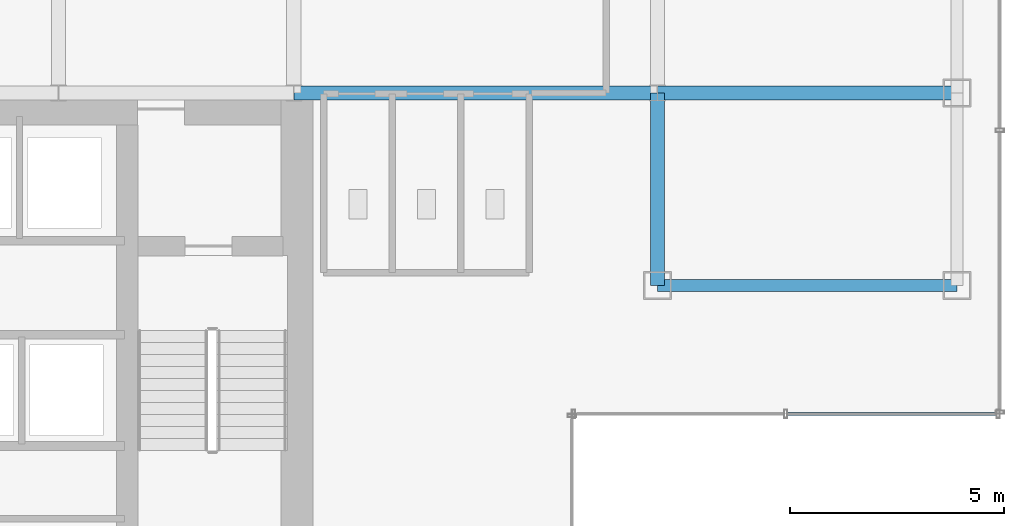
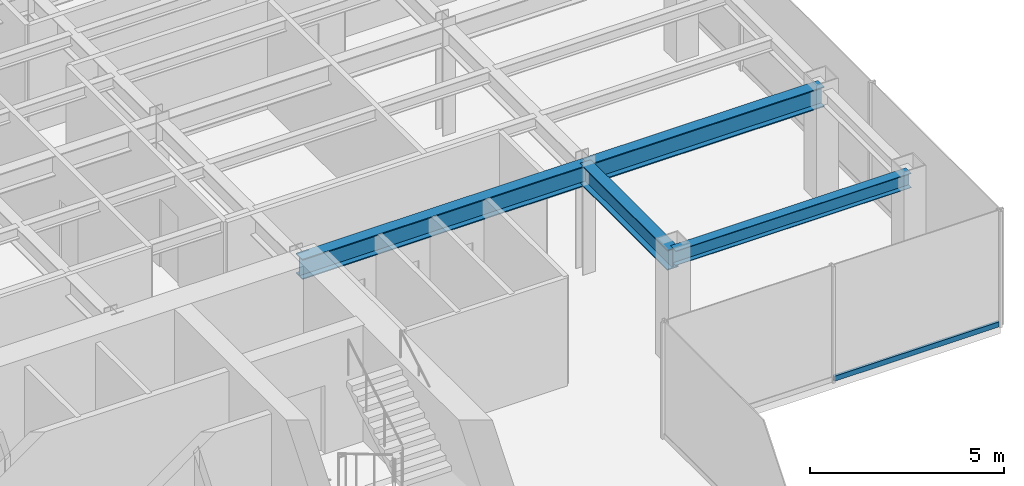
# One storey, part 10 of 25: 4 beams, 1 member, 1 element without a shape of its own.
"""IFC4 building model written with IfcOpenShell, lengths in metres."""

from ifc_helpers import new_model, si_unit, derived_unit, direction, frame, origin, origin_2d, place, context, subcontext, project, spatial, hollow_rectangle, i_section, extrude, source, transform, mapped, material, material_profile, profile_set, type_object, element, aggregate, save


model = new_model("IFC4")

# Units and contexts
model_context = context("Model", 3, precision=1e-05, world=origin(), true_north=direction((0.0, 1.0)))
body_context = subcontext(model_context, "Body", "Model", "MODEL_VIEW")
ifc_project = project(units=[si_unit("LENGTHUNIT", "METRE"), si_unit("AREAUNIT", "SQUARE_METRE"), si_unit("VOLUMEUNIT", "CUBIC_METRE"), si_unit("PLANEANGLEUNIT", "RADIAN"), si_unit("MASSUNIT", "GRAM", prefix="KILO"), derived_unit("THERMALTRANSMITTANCEUNIT", [(si_unit("POWERUNIT", "WATT"), 1), (si_unit("LENGTHUNIT", "METRE"), -2), (si_unit("THERMODYNAMICTEMPERATUREUNIT", "KELVIN"), -1)])], contexts=[model_context])

# Site, building, storey
site_placement = place(None, origin())
site = spatial("IfcSite", under=ifc_project, at=site_placement, CompositionType="ELEMENT")
building_placement = place(site_placement, origin())
building = spatial("IfcBuilding", under=site, at=building_placement, Name="Skarnbrae Concourse Arena and Tower", CompositionType="ELEMENT")
storey_placement = place(building_placement, frame((0.0, 0.0, 166.14990234375)))
storey = spatial("IfcBuildingStorey", under=building, at=storey_placement, Name="L42", CompositionType="ELEMENT", Elevation=166.14990234375)

# Beams
ifc_material_1 = material(Name="Steel CSA G40.21 350W", Category="steel")
ifc_material_profile_1 = material_profile(ifc_material_1, i_section(OverallWidth=0.280029296875, OverallDepth=0.462890625, WebThickness=0.0107421875, FlangeThickness=0.017333984375, at=origin_2d()), Name="W460X113")
ifc_profile_set_1 = profile_set([ifc_material_profile_1], Name="Steel CSA G40.21 350W")
beam_type_1 = type_object("IfcBeamType", Name="BM-SPAN-W460X113", PredefinedType="SPANDREL", material=ifc_profile_set_1)
shared_shape_1 = source(origin(), body_context, "Body", "SweptSolid", [
    extrude(i_section(OverallWidth=0.280029296875, OverallDepth=0.462890625, WebThickness=0.0107421875, FlangeThickness=0.017333984375, at=origin_2d()), origin(), (0.0, 0.0, 1.0), 7.0),
])
beam_1_placement = place(storey_placement, frame((42.0, 9.5, 3.168701171875), z_axis=(1.0, 0.0, 0.0), x_axis=(0.0, 1.0, 0.0)))
element("IfcBeam", 1, at=beam_1_placement, inside=storey, type_object=beam_type_1, Name="L42 Perimeter spandrel Y9.5-2", PredefinedType="SPANDREL", context=body_context, shape_type="MappedRepresentation", body=[
    mapped(shared_shape_1, transform((0.0, 0.0, 0.0))),
])
ifc_material_profile_2 = material_profile(ifc_material_1, i_section(OverallWidth=0.3291015625, OverallDepth=0.635009765625, WebThickness=0.017822265625, FlangeThickness=0.031005859375, at=origin_2d()), Name="W610X241")
ifc_profile_set_2 = profile_set([ifc_material_profile_2], Name="Steel CSA G40.21 350W")
beam_type_2 = type_object("IfcBeamType", Name="BM-GIRD-W610X241", PredefinedType="BEAM", material=ifc_profile_set_2)
shared_shape_2 = source(origin(), body_context, "Body", "SweptSolid", [
    extrude(i_section(OverallWidth=0.3291015625, OverallDepth=0.635009765625, WebThickness=0.017822265625, FlangeThickness=0.031005859375, at=origin_2d()), origin(), (0.0, 0.0, 1.0), 8.5),
])
beam_2_placement = place(storey_placement, frame((33.5, 14.0, 3.08251953125), z_axis=(1.0, 0.0, 0.0), x_axis=(0.0, 1.0, 0.0)))
element("IfcBeam", 2, at=beam_2_placement, inside=storey, type_object=beam_type_2, Name="L42 Primary E-W girder Y14.0-6", PredefinedType="BEAM", context=body_context, shape_type="MappedRepresentation", body=[
    mapped(shared_shape_2, transform((0.0, 0.0, 0.0))),
])
shared_shape_3 = source(origin(), body_context, "Body", "SweptSolid", [
    extrude(i_section(OverallWidth=0.3291015625, OverallDepth=0.635009765625, WebThickness=0.017822265625, FlangeThickness=0.031005859375, at=origin_2d()), origin(), (0.0, 0.0, 1.0), 7.0),
])
beam_3_placement = place(storey_placement, frame((42.0, 14.0, 3.08251953125), z_axis=(1.0, 0.0, 0.0), x_axis=(0.0, 1.0, 0.0)))
element("IfcBeam", 3, at=beam_3_placement, inside=storey, type_object=beam_type_2, Name="L42 Primary E-W girder Y14.0-7", PredefinedType="BEAM", context=body_context, shape_type="MappedRepresentation", body=[
    mapped(shared_shape_3, transform((0.0, 0.0, 0.0))),
])
shared_shape_4 = source(origin(), body_context, "Body", "SweptSolid", [
    extrude(i_section(OverallWidth=0.3291015625, OverallDepth=0.635009765625, WebThickness=0.017822265625, FlangeThickness=0.031005859375, at=origin_2d()), origin(), (0.0, 0.0, 1.0), 4.5),
])
beam_4_placement = place(storey_placement, frame((42.0, 9.5, 3.08251953125), z_axis=(0.0, 1.0, 0.0), x_axis=(-1.0, 0.0, 0.0)))
element("IfcBeam", 4, at=beam_4_placement, inside=storey, type_object=beam_type_2, Name="L42 Primary N-S girder X42.0-1", PredefinedType="BEAM", context=body_context, shape_type="MappedRepresentation", body=[
    mapped(shared_shape_4, transform((0.0, 0.0, 0.0))),
])

# Curtain wall, member
ifc_material_2 = material(Name="Bronze anodised aluminium 6063-T6", Category="aluminium")
curtain_wall_type = type_object("IfcCurtainWallType", Name="CW-SYS-04-MIDZONE", PredefinedType="USERDEFINED", material=ifc_material_2)
curtain_wall_placement = place(storey_placement, origin())
curtain_wall = element("IfcCurtainWall", 5, at=curtain_wall_placement, inside=storey, type_object=curtain_wall_type, Name="L42 Unitised curtain wall CW-L42-E03", ObjectType="UNITISED CURTAIN WALL", PredefinedType="USERDEFINED")
ifc_material_profile_3 = material_profile(ifc_material_2, hollow_rectangle(XDim=0.074951171875, YDim=0.159912109375, WallThickness=0.00439453125, at=origin_2d()), Name="ALU-TRAN-75X160")
ifc_profile_set_3 = profile_set([ifc_material_profile_3], Name="Bronze anodised aluminium 6063-T6")
member_type = type_object("IfcMemberType", Name="CWT-CW-04", PredefinedType="USERDEFINED", material=ifc_profile_set_3)
shared_shape_5 = source(origin(), body_context, "Body", "SweptSolid", [
    extrude(hollow_rectangle(XDim=0.074951171875, YDim=0.159912109375, WallThickness=0.00439453125, at=origin_2d()), origin(), (0.0, 0.0, 1.0), 4.887451171875),
])
member_placement = place(storey_placement, frame((45.03759765625, 6.5, 0.080078125), z_axis=(1.0, 0.0, 0.0), x_axis=(0.0, 1.0, 0.0)))
member = element("IfcMember", 6, at=member_placement, type_object=member_type, Name="CW-L42-E03 Transom 2", ObjectType="TRANSOM", PredefinedType="USERDEFINED", context=body_context, shape_type="MappedRepresentation", body=[
    mapped(shared_shape_5, transform((0.0, 0.0, 0.0))),
])
aggregate(curtain_wall, [member])

save(model, "model.ifc")
